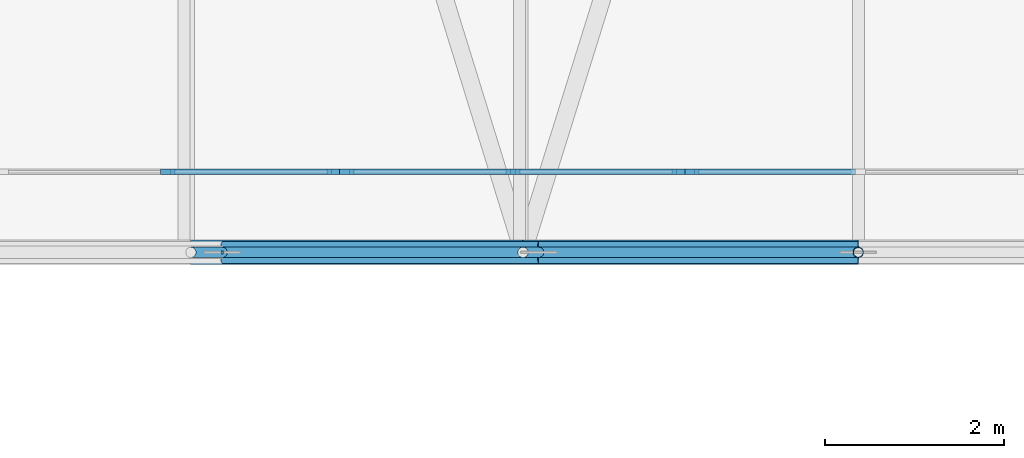
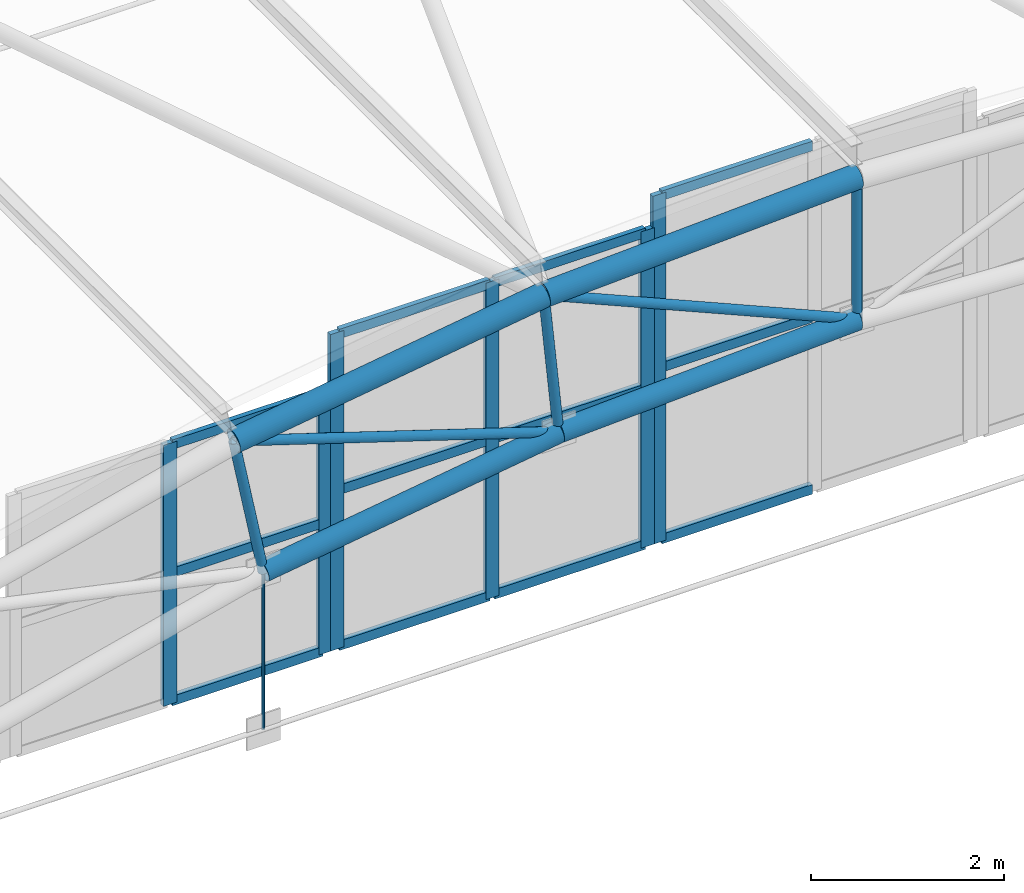
# One storey, part 144 of 321: 28 members, 3 elements without a shape of their own.
"""IFC4 building model written with IfcOpenShell, lengths in metres."""

from ifc_helpers import new_model, si_unit, direction, frame, origin, origin_2d, place, context, subcontext, project, spatial, rectangle, circle, hollow_circle, extrude, material, layer, layer_set, material_profile, profile_set, type_object, element, aggregate, save


model = new_model("IFC4")

# Units and contexts
model_context = context("Model", 3, precision=1e-05, world=origin(), true_north=direction((0.0, 1.0)))
body_context = subcontext(model_context, "Body", "Model", "MODEL_VIEW")
ifc_project = project(units=[si_unit("LENGTHUNIT", "METRE"), si_unit("AREAUNIT", "SQUARE_METRE"), si_unit("VOLUMEUNIT", "CUBIC_METRE"), si_unit("PLANEANGLEUNIT", "RADIAN"), si_unit("MASSUNIT", "GRAM", prefix="KILO")], contexts=[model_context])

# Site, building, storey
site_placement = place(None, origin())
site = spatial("IfcSite", under=ifc_project, at=site_placement, CompositionType="ELEMENT")
building_placement = place(site_placement, origin())
building = spatial("IfcBuilding", under=site, at=building_placement, Name="Ravi Spectrum Wholesale Market", CompositionType="ELEMENT")
storey_placement = place(building_placement, frame((0.0, 0.0, 10.800048828125)))
storey = spatial("IfcBuildingStorey", under=building, at=storey_placement, Name="L02", CompositionType="ELEMENT", Elevation=10.800048828125)

# Members
ifc_material_1 = material(Name="Steel S355", Category="steel")
ifc_material_profile_1 = material_profile(ifc_material_1, hollow_circle(Radius=0.05712890625, WallThickness=0.00390625, at=origin_2d()))
ifc_profile_set_1 = profile_set([ifc_material_profile_1], Name="Steel S355")
member_type_1 = type_object("IfcMemberType", Name="CHS 114.3x4 brace", PredefinedType="BRACE", material=ifc_profile_set_1)
for number, where, z_axis, x_axis, name in (
    (1, (172.551513671875, 138.0, 3.767822265625), (0.952400500519, 0.0, -0.304849613108), (0.0, 1.0, 0.0), "H3-MB-L02-032"),
    (2, (176.2578125, 138.0, 4.31640625), (0.918016770488, 0.0, -0.396541560373), (0.0, 1.0, 0.0), "H3-MB-L02-033"),
):
    element("IfcMember", number, at=place(storey_placement, frame(where, z_axis=z_axis, x_axis=x_axis)), inside=storey, type_object=member_type_1, Name=name, PredefinedType="BRACE", context=body_context, shape_type="SweptSolid", body=[
        extrude(hollow_circle(Radius=0.05712890625, WallThickness=0.00390625, at=origin_2d()), origin(), (0.0, 0.0, 1.0), 4.076416015625),
    ])
ifc_material_2 = material(Name="Steel S355", Category="steel")
ifc_material_profile_2 = material_profile(ifc_material_2, hollow_circle(Radius=0.05712890625, WallThickness=0.00390625, at=origin_2d()))
ifc_profile_set_2 = profile_set([ifc_material_profile_2], Name="Steel S355")
member_type_2 = type_object("IfcMemberType", Name="CHS 114.3x4 post", PredefinedType="POST", material=ifc_profile_set_2)
member_1_placement = place(storey_placement, frame((172.551513671875, 138.0, 3.767822265625), z_axis=(0.194759682352, 0.0, -0.980850990788), x_axis=(0.0, 1.0, 0.0)))
element("IfcMember", 3, at=member_1_placement, inside=storey, type_object=member_type_2, Name="H3-MB-L02-023", PredefinedType="POST", context=body_context, shape_type="SweptSolid", body=[
    extrude(hollow_circle(Radius=0.05712890625, WallThickness=0.00390625, at=origin_2d()), origin(), (0.0, 0.0, 1.0), 1.800048828125),
])
member_2_placement = place(storey_placement, frame((176.2578125, 138.0, 4.31640625), z_axis=(0.097797973815, 0.0, -0.995206288323), x_axis=(0.0, 1.0, 0.0)))
element("IfcMember", 4, at=member_2_placement, inside=storey, type_object=member_type_2, Name="H3-MB-L02-024", PredefinedType="POST", context=body_context, shape_type="SweptSolid", body=[
    extrude(hollow_circle(Radius=0.05712890625, WallThickness=0.00390625, at=origin_2d()), origin(), (0.0, 0.0, 1.0), 1.7998046875),
])
member_3_placement = place(storey_placement, frame((180.0, 138.0, 4.5), z_axis=(0.0, 0.0, -1.0), x_axis=(1.0, 0.0, 0.0)))
element("IfcMember", 5, at=member_3_placement, inside=storey, type_object=member_type_2, Name="H3-MB-L02-025", PredefinedType="POST", context=body_context, shape_type="SweptSolid", body=[
    extrude(hollow_circle(Radius=0.05712890625, WallThickness=0.00390625, at=origin_2d()), origin(), (0.0, 0.0, 1.0), 1.800048828125),
])
ifc_material_3 = material(Name="Steel S355", Category="steel")
ifc_material_profile_3 = material_profile(ifc_material_3, hollow_circle(Radius=0.122314453125, WallThickness=0.008056640625, at=origin_2d()))
ifc_profile_set_3 = profile_set([ifc_material_profile_3], Name="Steel S355")
member_type_3 = type_object("IfcMemberType", Name="CHS 244.5x8 chord", PredefinedType="CHORD", material=ifc_profile_set_3)
member_4_placement = place(storey_placement, frame((172.902099609375, 138.0, 2.002197265625), z_axis=(0.989214474115, 0.0, 0.146474312426), x_axis=(0.0, 1.0, 0.0)))
element("IfcMember", 6, at=member_4_placement, inside=storey, type_object=member_type_3, Name="H3-MB-L02-014", PredefinedType="CHORD", context=body_context, shape_type="SweptSolid", body=[
    extrude(hollow_circle(Radius=0.122314453125, WallThickness=0.008056640625, at=origin_2d()), origin(), (0.0, 0.0, 1.0), 3.5703125),
])
member_5_placement = place(storey_placement, frame((176.433837890625, 138.0, 2.525146484375), z_axis=(0.998800798306, 0.0, 0.048958812322), x_axis=(0.0, 1.0, 0.0)))
element("IfcMember", 7, at=member_5_placement, inside=storey, type_object=member_type_3, Name="H3-MB-L02-015", PredefinedType="CHORD", context=body_context, shape_type="SweptSolid", body=[
    extrude(hollow_circle(Radius=0.122314453125, WallThickness=0.008056640625, at=origin_2d()), origin(), (0.0, 0.0, 1.0), 3.570556640625),
])
ifc_material_4 = material(Name="Steel S355", Category="steel")
ifc_material_profile_4 = material_profile(ifc_material_4, hollow_circle(Radius=0.136474609375, WallThickness=0.010009765625, at=origin_2d()))
ifc_profile_set_4 = profile_set([ifc_material_profile_4], Name="Steel S355")
member_type_4 = type_object("IfcMemberType", Name="CHS 273x10 chord", PredefinedType="CHORD", material=ifc_profile_set_4)
for number, where, z_axis, x_axis, name in (
    (8, (172.551513671875, 138.0, 3.767822265625), (0.989222696265, 0.0, 0.146418773368), (0.0, 1.0, 0.0), "H3-MB-L02-004"),
    (9, (176.2578125, 138.0, 4.31640625), (0.998798699726, 0.0, 0.049001606354), (0.0, 1.0, 0.0), "H3-MB-L02-005"),
):
    element("IfcMember", number, at=place(storey_placement, frame(where, z_axis=z_axis, x_axis=x_axis)), inside=storey, type_object=member_type_4, Name=name, PredefinedType="CHORD", context=body_context, shape_type="SweptSolid", body=[
        extrude(hollow_circle(Radius=0.136474609375, WallThickness=0.010009765625, at=origin_2d()), origin(), (0.0, 0.0, 1.0), 3.74658203125),
    ])

# Curtain wall, members
ifc_material_5 = material(Name="Aluminium 6063-T6", Category="aluminium")
ifc_layer = layer(ifc_material_5, 0.14990234375)
ifc_layer_set = layer_set([ifc_layer], Name="Aluminium 6063-T6")
curtain_wall_type = type_object("IfcCurtainWallType", Name="Curtain wall 150", PredefinedType="NOTDEFINED", material=ifc_layer_set)
curtain_wall_1_placement = place(storey_placement, origin())
curtain_wall_1 = element("IfcCurtainWall", 10, at=curtain_wall_1_placement, inside=storey, type_object=curtain_wall_type, Name="H3-CW-L02-002", PredefinedType="NOTDEFINED")
ifc_material_6 = material(Name="Aluminium 6063-T6", Category="aluminium")
ifc_material_profile_5 = material_profile(ifc_material_6, rectangle(XDim=0.06005859375, YDim=0.159912109375, at=origin_2d()))
ifc_profile_set_5 = profile_set([ifc_material_profile_5], Name="Aluminium 6063-T6")
member_type_5 = type_object("IfcMemberType", Name="Mullion 60 x 160", PredefinedType="MULLION", material=ifc_profile_set_5)
member_6_placement = place(storey_placement, frame((172.292236328125, 138.89990234375, 0.0), z_axis=(0.0, 0.0, 1.0), x_axis=(0.0, 1.0, 0.0)))
member_6 = element("IfcMember", 11, at=member_6_placement, type_object=member_type_5, Name="H3-CW-L02-002 mullion 2", PredefinedType="MULLION", context=body_context, shape_type="SweptSolid", body=[
    extrude(rectangle(XDim=0.06005859375, YDim=0.159912109375, at=origin_2d()), origin(), (0.0, 0.0, 1.0), 3.300048828125),
])
member_7_placement = place(storey_placement, frame((174.149169921875, 138.89990234375, 0.0), z_axis=(0.0, 0.0, 1.0), x_axis=(0.0, 1.0, 0.0)))
member_7 = element("IfcMember", 12, at=member_7_placement, type_object=member_type_5, Name="H3-CW-L02-002 mullion 3", PredefinedType="MULLION", context=body_context, shape_type="SweptSolid", body=[
    extrude(rectangle(XDim=0.06005859375, YDim=0.159912109375, at=origin_2d()), origin(), (0.0, 0.0, 1.0), 3.300048828125),
])

curtain_wall_2_placement = place(storey_placement, origin())
curtain_wall_2 = element("IfcCurtainWall", 13, at=curtain_wall_2_placement, inside=storey, type_object=curtain_wall_type, Name="H3-CW-L02-003", PredefinedType="NOTDEFINED")
member_8_placement = place(storey_placement, frame((174.289306640625, 138.89990234375, 0.0), z_axis=(0.0, 0.0, 1.0), x_axis=(0.0, 1.0, 0.0)))
member_8 = element("IfcMember", 14, at=member_8_placement, type_object=member_type_5, Name="H3-CW-L02-003 mullion 1", PredefinedType="MULLION", context=body_context, shape_type="SweptSolid", body=[
    extrude(rectangle(XDim=0.06005859375, YDim=0.159912109375, at=origin_2d()), origin(), (0.0, 0.0, 1.0), 4.0),
])
member_9_placement = place(storey_placement, frame((176.146240234375, 138.89990234375, 0.0), z_axis=(0.0, 0.0, 1.0), x_axis=(0.0, 1.0, 0.0)))
member_9 = element("IfcMember", 15, at=member_9_placement, type_object=member_type_5, Name="H3-CW-L02-003 mullion 2", PredefinedType="MULLION", context=body_context, shape_type="SweptSolid", body=[
    extrude(rectangle(XDim=0.06005859375, YDim=0.159912109375, at=origin_2d()), origin(), (0.0, 0.0, 1.0), 4.0),
])
member_10_placement = place(storey_placement, frame((178.003173828125, 138.89990234375, 0.0), z_axis=(0.0, 0.0, 1.0), x_axis=(0.0, 1.0, 0.0)))
member_10 = element("IfcMember", 16, at=member_10_placement, type_object=member_type_5, Name="H3-CW-L02-003 mullion 3", PredefinedType="MULLION", context=body_context, shape_type="SweptSolid", body=[
    extrude(rectangle(XDim=0.06005859375, YDim=0.159912109375, at=origin_2d()), origin(), (0.0, 0.0, 1.0), 4.0),
])

# Curtain wall, member
curtain_wall_3_placement = place(storey_placement, origin())
curtain_wall_3 = element("IfcCurtainWall", 17, at=curtain_wall_3_placement, inside=storey, type_object=curtain_wall_type, Name="H3-CW-L02-004", PredefinedType="NOTDEFINED")
member_11_placement = place(storey_placement, frame((178.14306640625, 138.89990234375, 0.0), z_axis=(0.0, 0.0, 1.0), x_axis=(0.0, 1.0, 0.0)))
member_11 = element("IfcMember", 18, at=member_11_placement, type_object=member_type_5, Name="H3-CW-L02-004 mullion 1", PredefinedType="MULLION", context=body_context, shape_type="SweptSolid", body=[
    extrude(rectangle(XDim=0.06005859375, YDim=0.159912109375, at=origin_2d()), origin(), (0.0, 0.0, 1.0), 4.39990234375),
])

# Member
ifc_material_7 = material(Name="Steel S355", Category="steel")
ifc_material_profile_6 = material_profile(ifc_material_7, circle(Radius=0.01806640625, at=origin_2d()))
ifc_profile_set_6 = profile_set([ifc_material_profile_6], Name="Steel S355")
member_type_6 = type_object("IfcMemberType", Name="ROD 36 hanger", PredefinedType="STRUT", material=ifc_profile_set_6)
member_12_placement = place(storey_placement, frame((172.902099609375, 138.0, 0.0), z_axis=(0.0, 0.0, 1.0), x_axis=(1.0, 0.0, 0.0)))
element("IfcMember", 19, at=member_12_placement, inside=storey, type_object=member_type_6, Name="H3-MB-L02-039", PredefinedType="STRUT", context=body_context, shape_type="SweptSolid", body=[
    extrude(circle(Radius=0.01806640625, at=origin_2d()), origin(), (0.0, 0.0, 1.0), 2.002197265625),
])

ifc_material_8 = material(Name="Aluminium 6063-T6", Category="aluminium")
ifc_material_profile_7 = material_profile(ifc_material_8, rectangle(XDim=0.06005859375, YDim=0.1201171875, at=origin_2d()))
ifc_profile_set_7 = profile_set([ifc_material_profile_7], Name="Aluminium 6063-T6")
member_type_7 = type_object("IfcMemberType", Name="Transom 60 x 120", PredefinedType="USERDEFINED", material=ifc_profile_set_7)
member_13_placement = place(storey_placement, frame((172.322265625, 138.89990234375, 0.030029296875), z_axis=(1.0, 0.0, 0.0), x_axis=(0.0, 1.0, 0.0)))
member_13 = element("IfcMember", 20, at=member_13_placement, type_object=member_type_7, Name="H3-CW-L02-002 transom 2.1", ObjectType="TRANSOM", PredefinedType="USERDEFINED", context=body_context, shape_type="SweptSolid", body=[
    extrude(rectangle(XDim=0.06005859375, YDim=0.1201171875, at=origin_2d()), origin(), (0.0, 0.0, 1.0), 1.797119140625),
])

member_14_placement = place(storey_placement, frame((172.322265625, 138.89990234375, 1.64990234375), z_axis=(1.0, 0.0, 0.0), x_axis=(0.0, 1.0, 0.0)))
member_14 = element("IfcMember", 21, at=member_14_placement, type_object=member_type_7, Name="H3-CW-L02-002 transom 2.2", ObjectType="TRANSOM", PredefinedType="USERDEFINED", context=body_context, shape_type="SweptSolid", body=[
    extrude(rectangle(XDim=0.06005859375, YDim=0.1201171875, at=origin_2d()), origin(), (0.0, 0.0, 1.0), 1.797119140625),
])

member_15_placement = place(storey_placement, frame((172.322265625, 138.89990234375, 3.27001953125), z_axis=(1.0, 0.0, 0.0), x_axis=(0.0, 1.0, 0.0)))
member_15 = element("IfcMember", 22, at=member_15_placement, type_object=member_type_7, Name="H3-CW-L02-002 transom 2.3", ObjectType="TRANSOM", PredefinedType="USERDEFINED", context=body_context, shape_type="SweptSolid", body=[
    extrude(rectangle(XDim=0.06005859375, YDim=0.1201171875, at=origin_2d()), origin(), (0.0, 0.0, 1.0), 1.797119140625),
])

aggregate(curtain_wall_1, [member_6, member_7, member_13, member_14, member_15])

member_16_placement = place(storey_placement, frame((174.3193359375, 138.89990234375, 0.030029296875), z_axis=(1.0, 0.0, 0.0), x_axis=(0.0, 1.0, 0.0)))
member_16 = element("IfcMember", 23, at=member_16_placement, type_object=member_type_7, Name="H3-CW-L02-003 transom 1.1", ObjectType="TRANSOM", PredefinedType="USERDEFINED", context=body_context, shape_type="SweptSolid", body=[
    extrude(rectangle(XDim=0.06005859375, YDim=0.1201171875, at=origin_2d()), origin(), (0.0, 0.0, 1.0), 1.796875),
])

member_17_placement = place(storey_placement, frame((174.3193359375, 138.89990234375, 2.0), z_axis=(1.0, 0.0, 0.0), x_axis=(0.0, 1.0, 0.0)))
member_17 = element("IfcMember", 24, at=member_17_placement, type_object=member_type_7, Name="H3-CW-L02-003 transom 1.2", ObjectType="TRANSOM", PredefinedType="USERDEFINED", context=body_context, shape_type="SweptSolid", body=[
    extrude(rectangle(XDim=0.06005859375, YDim=0.1201171875, at=origin_2d()), origin(), (0.0, 0.0, 1.0), 1.796875),
])

member_18_placement = place(storey_placement, frame((174.3193359375, 138.89990234375, 3.969970703125), z_axis=(1.0, 0.0, 0.0), x_axis=(0.0, 1.0, 0.0)))
member_18 = element("IfcMember", 25, at=member_18_placement, type_object=member_type_7, Name="H3-CW-L02-003 transom 1.3", ObjectType="TRANSOM", PredefinedType="USERDEFINED", context=body_context, shape_type="SweptSolid", body=[
    extrude(rectangle(XDim=0.06005859375, YDim=0.1201171875, at=origin_2d()), origin(), (0.0, 0.0, 1.0), 1.796875),
])

member_19_placement = place(storey_placement, frame((176.17626953125, 138.89990234375, 0.030029296875), z_axis=(1.0, 0.0, 0.0), x_axis=(0.0, 1.0, 0.0)))
member_19 = element("IfcMember", 26, at=member_19_placement, type_object=member_type_7, Name="H3-CW-L02-003 transom 2.1", ObjectType="TRANSOM", PredefinedType="USERDEFINED", context=body_context, shape_type="SweptSolid", body=[
    extrude(rectangle(XDim=0.06005859375, YDim=0.1201171875, at=origin_2d()), origin(), (0.0, 0.0, 1.0), 1.796875),
])

member_20_placement = place(storey_placement, frame((176.17626953125, 138.89990234375, 2.0), z_axis=(1.0, 0.0, 0.0), x_axis=(0.0, 1.0, 0.0)))
member_20 = element("IfcMember", 27, at=member_20_placement, type_object=member_type_7, Name="H3-CW-L02-003 transom 2.2", ObjectType="TRANSOM", PredefinedType="USERDEFINED", context=body_context, shape_type="SweptSolid", body=[
    extrude(rectangle(XDim=0.06005859375, YDim=0.1201171875, at=origin_2d()), origin(), (0.0, 0.0, 1.0), 1.796875),
])

member_21_placement = place(storey_placement, frame((176.17626953125, 138.89990234375, 3.969970703125), z_axis=(1.0, 0.0, 0.0), x_axis=(0.0, 1.0, 0.0)))
member_21 = element("IfcMember", 28, at=member_21_placement, type_object=member_type_7, Name="H3-CW-L02-003 transom 2.3", ObjectType="TRANSOM", PredefinedType="USERDEFINED", context=body_context, shape_type="SweptSolid", body=[
    extrude(rectangle(XDim=0.06005859375, YDim=0.1201171875, at=origin_2d()), origin(), (0.0, 0.0, 1.0), 1.796875),
])

aggregate(curtain_wall_2, [member_8, member_9, member_10, member_16, member_17, member_18, member_19, member_20, member_21])

member_22_placement = place(storey_placement, frame((178.173095703125, 138.89990234375, 0.030029296875), z_axis=(1.0, 0.0, 0.0), x_axis=(0.0, 1.0, 0.0)))
member_22 = element("IfcMember", 29, at=member_22_placement, type_object=member_type_7, Name="H3-CW-L02-004 transom 1.1", ObjectType="TRANSOM", PredefinedType="USERDEFINED", context=body_context, shape_type="SweptSolid", body=[
    extrude(rectangle(XDim=0.06005859375, YDim=0.1201171875, at=origin_2d()), origin(), (0.0, 0.0, 1.0), 1.796875),
])

member_23_placement = place(storey_placement, frame((178.173095703125, 138.89990234375, 2.199951171875), z_axis=(1.0, 0.0, 0.0), x_axis=(0.0, 1.0, 0.0)))
member_23 = element("IfcMember", 30, at=member_23_placement, type_object=member_type_7, Name="H3-CW-L02-004 transom 1.2", ObjectType="TRANSOM", PredefinedType="USERDEFINED", context=body_context, shape_type="SweptSolid", body=[
    extrude(rectangle(XDim=0.06005859375, YDim=0.1201171875, at=origin_2d()), origin(), (0.0, 0.0, 1.0), 1.796875),
])

member_24_placement = place(storey_placement, frame((178.173095703125, 138.89990234375, 4.369873046875), z_axis=(1.0, 0.0, 0.0), x_axis=(0.0, 1.0, 0.0)))
member_24 = element("IfcMember", 31, at=member_24_placement, type_object=member_type_7, Name="H3-CW-L02-004 transom 1.3", ObjectType="TRANSOM", PredefinedType="USERDEFINED", context=body_context, shape_type="SweptSolid", body=[
    extrude(rectangle(XDim=0.06005859375, YDim=0.1201171875, at=origin_2d()), origin(), (0.0, 0.0, 1.0), 1.796875),
])

aggregate(curtain_wall_3, [member_11, member_22, member_23, member_24])

save(model, "model.ifc")
